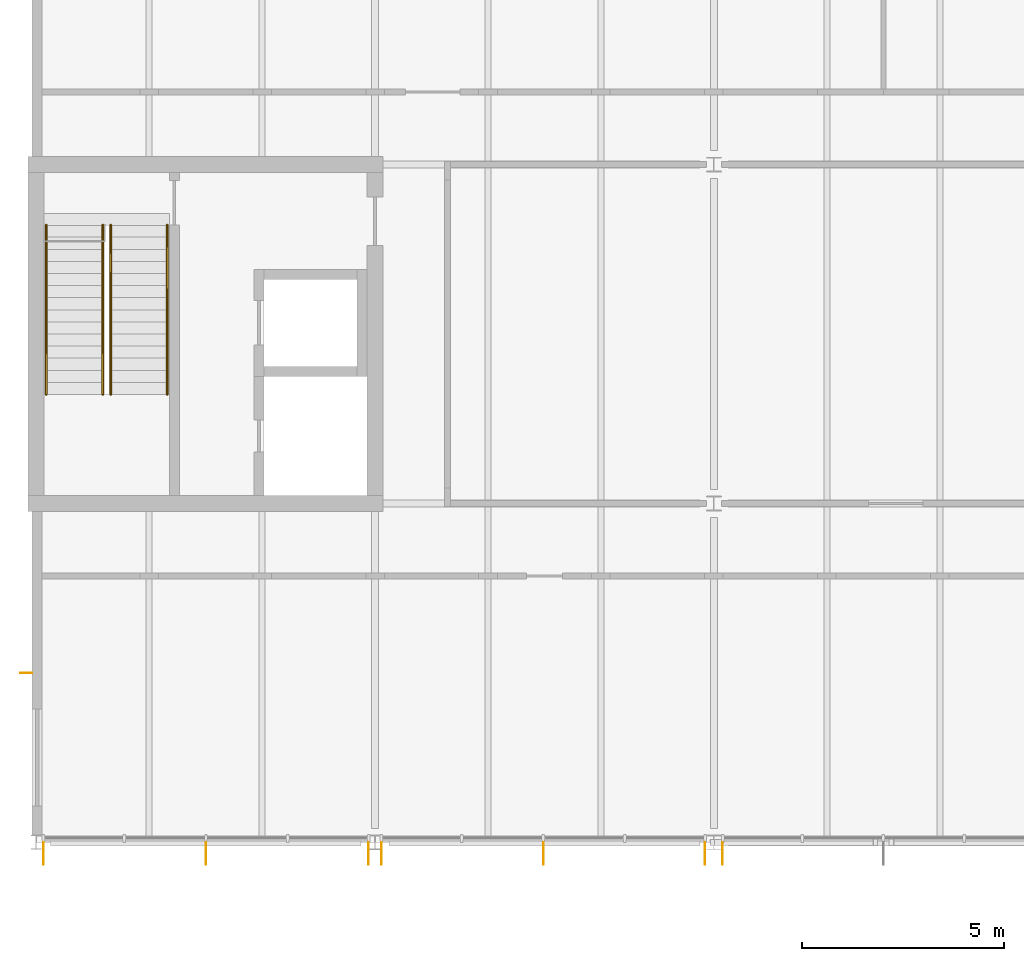
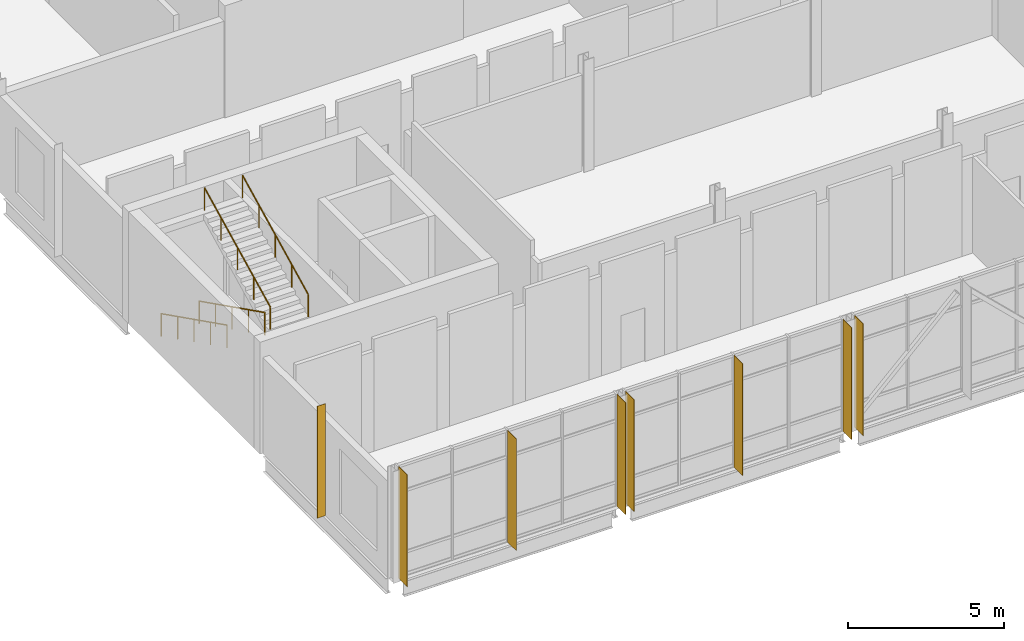
# One storey, part 74 of 89: 8 shading devices, 4 railings.
"""IFC4 building model written with IfcOpenShell, lengths in metres."""

from ifc_helpers import new_model, si_unit, direction, frame, origin, origin_2d, place, context, subcontext, project, spatial, rectangle, circle, extrude, material, layer, layer_set, type_object, element, save


model = new_model("IFC4")

# Units and contexts
model_context = context("Model", 3, precision=1e-05, world=origin(), true_north=direction((0.0, 1.0)))
body_context = subcontext(model_context, "Body", "Model", "MODEL_VIEW")
ifc_project = project(units=[si_unit("LENGTHUNIT", "METRE"), si_unit("AREAUNIT", "SQUARE_METRE"), si_unit("VOLUMEUNIT", "CUBIC_METRE"), si_unit("PLANEANGLEUNIT", "RADIAN"), si_unit("MASSUNIT", "GRAM", prefix="KILO")], contexts=[model_context])

# Site, building, storey
site_placement = place(None, origin())
site = spatial("IfcSite", under=ifc_project, at=site_placement, CompositionType="ELEMENT")
building_placement = place(site_placement, origin())
building = spatial("IfcBuilding", under=site, at=building_placement, Name="Hlaing Beacon Police Headquarters", CompositionType="ELEMENT")
storey_placement = place(building_placement, frame((0.0, 0.0, 9.89990234375)))
storey = spatial("IfcBuildingStorey", under=building, at=storey_placement, Name="L02", CompositionType="ELEMENT", Elevation=9.89990234375)

# Shading devices
ifc_material_1 = material(Name="Aluminium 6063-T5 anodised", Category="aluminium")
ifc_layer_1 = layer(ifc_material_1, 0.011962890625)
ifc_layer_set_1 = layer_set([ifc_layer_1], Name="Aluminium 6063-T5 anodised")
shading_device_type_1 = type_object("IfcShadingDeviceType", Name="Aluminium fin 12x300", PredefinedType="JALOUSIE", material=ifc_layer_set_1)
shading_device_placement = place(storey_placement, frame((8.14990234375, 12.60009765625, 0.0), z_axis=(0.0, 0.0, 1.0), x_axis=(0.0, -1.0, 0.0)))
element("IfcShadingDevice", 1, at=shading_device_placement, inside=storey, type_object=shading_device_type_1, Name="Fin L02 W009", PredefinedType="JALOUSIE", context=body_context, shape_type="SweptSolid", body=[
    extrude(rectangle(XDim=0.011962890625, YDim=0.300048828125, at=origin_2d()), origin(), (0.0, 0.0, 1.0), 4.3701171875),
])
ifc_material_2 = material(Name="Aluminium 6063-T5 anodised", Category="aluminium")
ifc_layer_2 = layer(ifc_material_2, 0.011962890625)
ifc_layer_set_2 = layer_set([ifc_layer_2], Name="Aluminium 6063-T5 anodised")
shading_device_type_2 = type_object("IfcShadingDeviceType", Name="Aluminium fin 12x550", PredefinedType="JALOUSIE", material=ifc_layer_set_2)
for number, where, z_axis, x_axis, name in (
    (2, (8.580078125, 8.125, 0.0), (0.0, 0.0, 1.0), (1.0, 0.0, 0.0), "Fin L02 S009.0"),
    (3, (12.61083984375, 8.125, 0.0), (0.0, 0.0, 1.0), (1.0, 0.0, 0.0), "Fin L02 S009.2"),
    (4, (16.6416015625, 8.125, 0.0), (0.0, 0.0, 1.0), (1.0, 0.0, 0.0), "Fin L02 S009.4"),
    (5, (16.958251953125, 8.125, 0.0), (0.0, 0.0, 1.0), (1.0, 0.0, 0.0), "Fin L02 S010.0"),
    (6, (20.971435546875, 8.125, 0.0), (0.0, 0.0, 1.0), (1.0, 0.0, 0.0), "Fin L02 S010.2"),
    (7, (24.984619140625, 8.125, 0.0), (0.0, 0.0, 1.0), (1.0, 0.0, 0.0), "Fin L02 S010.4"),
    (8, (25.415283203125, 8.125, 0.0), (0.0, 0.0, 1.0), (1.0, 0.0, 0.0), "Fin L02 S011.0"),
):
    element("IfcShadingDevice", number, at=place(storey_placement, frame(where, z_axis=z_axis, x_axis=x_axis)), inside=storey, type_object=shading_device_type_2, Name=name, PredefinedType="JALOUSIE", context=body_context, shape_type="SweptSolid", body=[
        extrude(rectangle(XDim=0.011962890625, YDim=0.550048828125, at=origin_2d()), origin(), (0.0, 0.0, 1.0), 4.3701171875),
    ])

# Railings
ifc_material_3 = material(Name="Stainless steel", Category="steel")
railing_type = type_object("IfcRailingType", Name="Stair handrail 900", PredefinedType="HANDRAIL", material=ifc_material_3)
for number, where, name in (
    (9, (8.64990234375, 23.699951171875, 0.150146484375), "Handrail ST-J"),
    (10, (10.050048828125, 23.699951171875, 0.150146484375), "Handrail ST-J"),
):
    element("IfcRailing", number, at=place(storey_placement, frame(where)), inside=storey, type_object=railing_type, Name=name, PredefinedType="HANDRAIL", context=body_context, shape_type="SweptSolid", body=[
        extrude(circle(Radius=0.02392578125, at=origin_2d()), frame((0.0, 0.0, 0.8759765625), z_axis=(0.0, -0.894437589381, 0.447192798132), x_axis=(1.0, 0.0, 0.0)), (0.0, 0.0, 1.0), 4.695556640625),
        extrude(circle(Radius=0.02099609375, at=origin_2d()), origin(), (0.0, 0.0, 1.0), 0.851806640625),
        extrude(circle(Radius=0.02099609375, at=origin_2d()), frame((0.0, -1.050048828125, 0.52490234375)), (0.0, 0.0, 1.0), 0.851806640625),
        extrude(circle(Radius=0.02099609375, at=origin_2d()), frame((0.0, -2.10009765625, 1.0498046875)), (0.0, 0.0, 1.0), 0.851806640625),
        extrude(circle(Radius=0.02099609375, at=origin_2d()), frame((0.0, -3.14990234375, 1.574951171875)), (0.0, 0.0, 1.0), 0.851806640625),
        extrude(circle(Radius=0.02099609375, at=origin_2d()), frame((0.0, -4.199951171875, 2.099853515625)), (0.0, 0.0, 1.0), 0.851806640625),
    ])
for number, where, name in (
    (11, (10.25, 19.5, 2.400146484375), "Handrail ST-J"),
    (12, (11.64990234375, 19.5, 2.400146484375), "Handrail ST-J"),
):
    element("IfcRailing", number, at=place(storey_placement, frame(where)), inside=storey, type_object=railing_type, Name=name, PredefinedType="HANDRAIL", context=body_context, shape_type="SweptSolid", body=[
        extrude(circle(Radius=0.02392578125, at=origin_2d()), frame((0.0, 0.0, 0.8759765625), z_axis=(0.0, 0.894437589381, 0.447192798132), x_axis=(-1.0, 0.0, 0.0)), (0.0, 0.0, 1.0), 4.695556640625),
        extrude(circle(Radius=0.02099609375, at=origin_2d()), origin(), (0.0, 0.0, 1.0), 0.851806640625),
        extrude(circle(Radius=0.02099609375, at=origin_2d()), frame((0.0, 1.050048828125, 0.52490234375)), (0.0, 0.0, 1.0), 0.851806640625),
        extrude(circle(Radius=0.02099609375, at=origin_2d()), frame((0.0, 2.10009765625, 1.0498046875)), (0.0, 0.0, 1.0), 0.851806640625),
        extrude(circle(Radius=0.02099609375, at=origin_2d()), frame((0.0, 3.14990234375, 1.574951171875)), (0.0, 0.0, 1.0), 0.851806640625),
        extrude(circle(Radius=0.02099609375, at=origin_2d()), frame((0.0, 4.199951171875, 2.099853515625)), (0.0, 0.0, 1.0), 0.851806640625),
    ])

save(model, "model.ifc")
